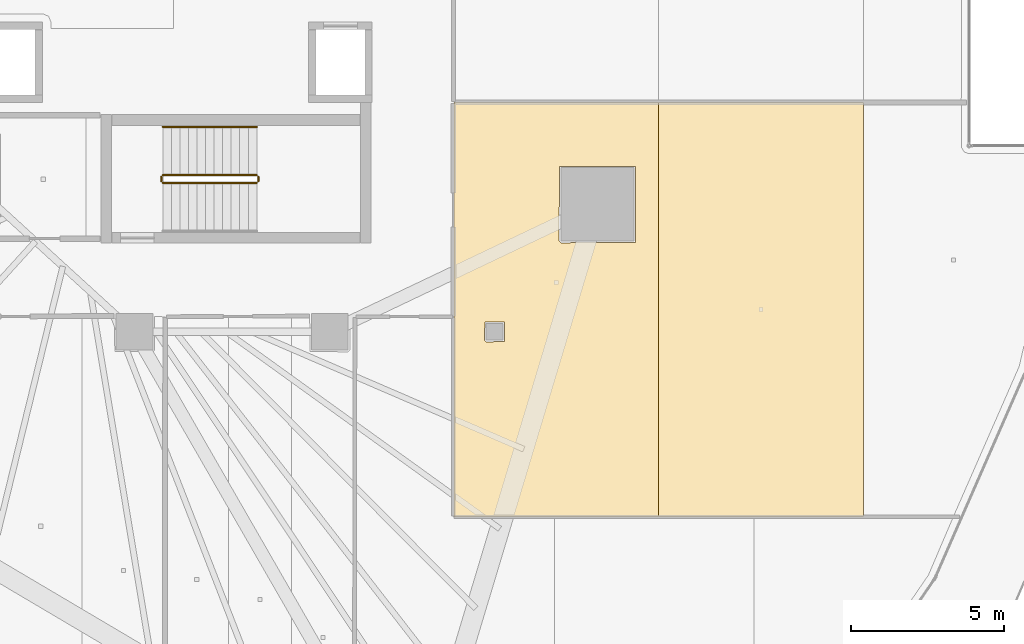
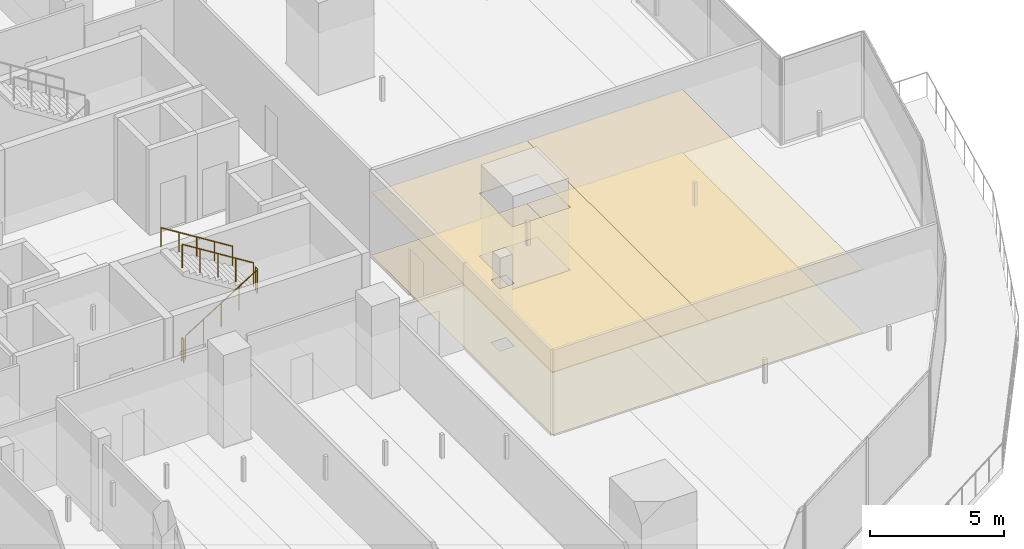
# One storey, part 39 of 44: 5 railings, 4 coverings.
"""IFC4 building model written with IfcOpenShell, lengths in metres."""

from ifc_helpers import new_model, si_unit, direction, frame, origin, origin_2d, place, context, subcontext, project, spatial, polyline, circle, outline, extrude, material, layer, layer_set, type_object, element, save


model = new_model("IFC4")

# Units and contexts
model_context = context("Model", 3, precision=1e-05, world=origin(), true_north=direction((0.0, 1.0)))
body_context = subcontext(model_context, "Body", "Model", "MODEL_VIEW")
ifc_project = project(units=[si_unit("LENGTHUNIT", "METRE"), si_unit("AREAUNIT", "SQUARE_METRE"), si_unit("VOLUMEUNIT", "CUBIC_METRE"), si_unit("PLANEANGLEUNIT", "RADIAN"), si_unit("MASSUNIT", "GRAM", prefix="KILO")], contexts=[model_context])

# Site, building, storey
site_placement = place(None, origin())
site = spatial("IfcSite", under=ifc_project, at=site_placement, CompositionType="ELEMENT")
building_placement = place(site_placement, origin())
building = spatial("IfcBuilding", under=site, at=building_placement, Name="Qorvath Tower", CompositionType="ELEMENT")
storey_placement = place(building_placement, frame((0.0, 0.0, 53.39990234375)))
storey = spatial("IfcBuildingStorey", under=building, at=storey_placement, Name="L11", CompositionType="ELEMENT", Elevation=53.39990234375)

# Coverings
ifc_material_1 = material(Name="Acoustic mineral fibre ceiling tile", Category="gypsum")
ifc_layer_1 = layer(ifc_material_1, 0.030029296875)
ifc_layer_set_1 = layer_set([ifc_layer_1], Name="COV-CEIL")
covering_type_1 = type_object("IfcCoveringType", Name="COV-CEIL", PredefinedType="CEILING", material=ifc_layer_set_1)
covering_1_placement = place(storey_placement, frame((0.0, 0.0, 2.85009765625)))
element("IfcCovering", 1, at=covering_1_placement, inside=storey, type_object=covering_type_1, Name="L11 Suspended Acoustic Ceiling 035", PredefinedType="CEILING", context=body_context, shape_type="SweptSolid", body=[
    extrude(outline(polyline([(-6.4267578125, -17.495849609375), (-6.4267578125, -3.9462890625), (-13.136962890625, -3.9462890625), (-13.136962890625, -17.4951171875), (-6.4267578125, -17.495849609375)]), holes=[polyline([(-9.690185546875, -8.476318359375), (-9.672607421875, -6.033935546875), (-7.18798828125, -6.033935546875), (-7.18798828125, -8.518798828125), (-9.63037109375, -8.536376953125), (-9.690185546875, -8.476318359375)]), polyline([(-12.135009765625, -11.72509765625), (-12.117431640625, -11.132568359375), (-11.482666015625, -11.132568359375), (-11.482666015625, -11.767333984375), (-12.074951171875, -11.784912109375), (-12.135009765625, -11.72509765625)])]), origin(), (0.0, 0.0, 1.0), 0.030029296875),
])
covering_2_placement = place(storey_placement, frame((0.0, 0.0, 2.85009765625)))
element("IfcCovering", 2, at=covering_2_placement, inside=storey, type_object=covering_type_1, Name="L11 Suspended Acoustic Ceiling 036", PredefinedType="CEILING", context=body_context, shape_type="SweptSolid", body=[
    extrude(outline(polyline([(0.283447265625, -17.496337890625), (0.283447265625, -3.9462890625), (-6.4267578125, -3.9462890625), (-6.4267578125, -17.495849609375), (0.283447265625, -17.496337890625)])), origin(), (0.0, 0.0, 1.0), 0.030029296875),
])
ifc_material_2 = material(Name="Low-VOC modular carpet tile", Category="textile")
ifc_layer_2 = layer(ifc_material_2, 0.014892578125)
ifc_layer_set_2 = layer_set([ifc_layer_2], Name="COV-FLOOR-CPT")
covering_type_2 = type_object("IfcCoveringType", Name="COV-FLOOR-CPT", PredefinedType="FLOORING", material=ifc_layer_set_2)
covering_3_placement = place(storey_placement, origin())
element("IfcCovering", 3, at=covering_3_placement, inside=storey, type_object=covering_type_2, Name="L11 Floor Finish 035", PredefinedType="FLOORING", context=body_context, shape_type="SweptSolid", body=[
    extrude(outline(polyline([(-6.4267578125, -17.495849609375), (-6.4267578125, -3.9462890625), (-13.136962890625, -3.9462890625), (-13.136962890625, -17.4951171875), (-6.4267578125, -17.495849609375)]), holes=[polyline([(-9.690185546875, -8.476318359375), (-9.672607421875, -6.033935546875), (-7.18798828125, -6.033935546875), (-7.18798828125, -8.518798828125), (-9.63037109375, -8.536376953125), (-9.690185546875, -8.476318359375)]), polyline([(-12.135009765625, -11.72509765625), (-12.117431640625, -11.132568359375), (-11.482666015625, -11.132568359375), (-11.482666015625, -11.767333984375), (-12.074951171875, -11.784912109375), (-12.135009765625, -11.72509765625)])]), origin(), (0.0, 0.0, 1.0), 0.01513671875),
])
covering_4_placement = place(storey_placement, origin())
element("IfcCovering", 4, at=covering_4_placement, inside=storey, type_object=covering_type_2, Name="L11 Floor Finish 036", PredefinedType="FLOORING", context=body_context, shape_type="SweptSolid", body=[
    extrude(outline(polyline([(0.283447265625, -17.496337890625), (0.283447265625, -3.9462890625), (-6.4267578125, -3.9462890625), (-6.4267578125, -17.495849609375), (0.283447265625, -17.496337890625)])), origin(), (0.0, 0.0, 1.0), 0.01513671875),
])

# Railings
ifc_material_3 = material(Name="Painted galvanised steel", Category="steel")
railing_type_1 = type_object("IfcRailingType", Name="RL-STR-GRD", PredefinedType="GUARDRAIL", material=ifc_material_3)
railing_1_placement = place(storey_placement, frame((-22.669921875, -6.570068359375, 0.175048828125)))
element("IfcRailing", 5, at=railing_1_placement, inside=storey, type_object=railing_type_1, Name="L11 TS2 stair guard 1", PredefinedType="GUARDRAIL", context=body_context, shape_type="SweptSolid", body=[
    extrude(circle(Radius=0.02392578125, at=origin_2d()), frame((0.0, 0.0, 1.076171875), z_axis=(0.847979421464, 0.0, 0.530029150871), x_axis=(0.0, 1.0, 0.0)), (0.0, 0.0, 1.0), 3.632080078125),
    extrude(circle(Radius=0.02099609375, at=origin_2d()), origin(), (0.0, 0.0, 1.0), 1.052001953125),
    extrude(circle(Radius=0.02099609375, at=origin_2d()), frame((0.77001953125, 0.0, 0.481201171875)), (0.0, 0.0, 1.0), 1.052001953125),
    extrude(circle(Radius=0.02099609375, at=origin_2d()), frame((1.5400390625, 0.0, 0.96240234375)), (0.0, 0.0, 1.0), 1.052001953125),
    extrude(circle(Radius=0.02099609375, at=origin_2d()), frame((2.309814453125, 0.0, 1.44384765625)), (0.0, 0.0, 1.0), 1.052001953125),
    extrude(circle(Radius=0.02099609375, at=origin_2d()), frame((3.079833984375, 0.0, 1.925048828125)), (0.0, 0.0, 1.0), 1.052001953125),
])
railing_2_placement = place(storey_placement, frame((-19.5400390625, -6.52001953125, 2.10009765625)))
element("IfcRailing", 6, at=railing_2_placement, inside=storey, type_object=railing_type_1, Name="L11 TS2 stair guard 2", PredefinedType="GUARDRAIL", context=body_context, shape_type="SweptSolid", body=[
    extrude(circle(Radius=0.02392578125, at=origin_2d()), frame((0.0, 0.0, 1.076171875), z_axis=(0.0, 1.0, 0.0), x_axis=(-1.0, 0.0, 0.0)), (0.0, 0.0, 1.0), 0.14990234375),
    extrude(circle(Radius=0.02099609375, at=origin_2d()), origin(), (0.0, 0.0, 1.0), 1.052001953125),
    extrude(circle(Radius=0.02099609375, at=origin_2d()), frame((0.0, 0.14990234375, 0.0)), (0.0, 0.0, 1.0), 1.052001953125),
])
railing_3_placement = place(storey_placement, frame((-19.590087890625, -6.320068359375, 2.275146484375)))
element("IfcRailing", 7, at=railing_3_placement, inside=storey, type_object=railing_type_1, Name="L11 TS2 stair guard 3", PredefinedType="GUARDRAIL", context=body_context, shape_type="SweptSolid", body=[
    extrude(circle(Radius=0.02392578125, at=origin_2d()), frame((0.0, 0.0, 1.076171875), z_axis=(-0.847979421464, 0.0, 0.530029150871), x_axis=(0.0, -1.0, 0.0)), (0.0, 0.0, 1.0), 3.632080078125),
    extrude(circle(Radius=0.02099609375, at=origin_2d()), origin(), (0.0, 0.0, 1.0), 1.052001953125),
    extrude(circle(Radius=0.02099609375, at=origin_2d()), frame((-0.77001953125, 0.0, 0.481201171875)), (0.0, 0.0, 1.0), 1.052001953125),
    extrude(circle(Radius=0.02099609375, at=origin_2d()), frame((-1.5400390625, 0.0, 0.96240234375)), (0.0, 0.0, 1.0), 1.052001953125),
    extrude(circle(Radius=0.02099609375, at=origin_2d()), frame((-2.309814453125, 0.0, 1.44384765625)), (0.0, 0.0, 1.0), 1.052001953125),
    extrude(circle(Radius=0.02099609375, at=origin_2d()), frame((-3.079833984375, 0.0, 1.925048828125)), (0.0, 0.0, 1.0), 1.052001953125),
])
railing_4_placement = place(storey_placement, frame((-22.719970703125, -6.52001953125, 0.0)))
element("IfcRailing", 8, at=railing_4_placement, inside=storey, type_object=railing_type_1, Name="L11 TS2 stair guard 4", PredefinedType="GUARDRAIL", context=body_context, shape_type="SweptSolid", body=[
    extrude(circle(Radius=0.02392578125, at=origin_2d()), frame((0.0, 0.0, 1.076171875), z_axis=(0.0, 1.0, 0.0), x_axis=(-1.0, 0.0, 0.0)), (0.0, 0.0, 1.0), 0.14990234375),
    extrude(circle(Radius=0.02099609375, at=origin_2d()), origin(), (0.0, 0.0, 1.0), 1.052001953125),
    extrude(circle(Radius=0.02099609375, at=origin_2d()), frame((0.0, 0.14990234375, 0.0)), (0.0, 0.0, 1.0), 1.052001953125),
])
ifc_material_4 = material(Name="Brushed stainless steel AISI 304", Category="steel")
railing_type_2 = type_object("IfcRailingType", Name="RL-STR-HND", PredefinedType="HANDRAIL", material=ifc_material_4)
railing_5_placement = place(storey_placement, frame((-19.590087890625, -4.739990234375, 2.275146484375)))
element("IfcRailing", 9, at=railing_5_placement, inside=storey, type_object=railing_type_2, Name="L11 TS2 stair handrail 2", PredefinedType="HANDRAIL", context=body_context, shape_type="SweptSolid", body=[
    extrude(circle(Radius=0.02392578125, at=origin_2d()), frame((0.0, 0.0, 0.8759765625), z_axis=(-0.847979421464, 0.0, 0.530029150871), x_axis=(0.0, -1.0, 0.0)), (0.0, 0.0, 1.0), 3.632080078125),
    extrude(circle(Radius=0.02099609375, at=origin_2d()), origin(), (0.0, 0.0, 1.0), 0.851806640625),
    extrude(circle(Radius=0.02099609375, at=origin_2d()), frame((-0.77001953125, 0.0, 0.481201171875)), (0.0, 0.0, 1.0), 0.851806640625),
    extrude(circle(Radius=0.02099609375, at=origin_2d()), frame((-1.5400390625, 0.0, 0.96240234375)), (0.0, 0.0, 1.0), 0.851806640625),
    extrude(circle(Radius=0.02099609375, at=origin_2d()), frame((-2.309814453125, 0.0, 1.44384765625)), (0.0, 0.0, 1.0), 0.851806640625),
    extrude(circle(Radius=0.02099609375, at=origin_2d()), frame((-3.079833984375, 0.0, 1.925048828125)), (0.0, 0.0, 1.0), 0.851806640625),
])

save(model, "model.ifc")
